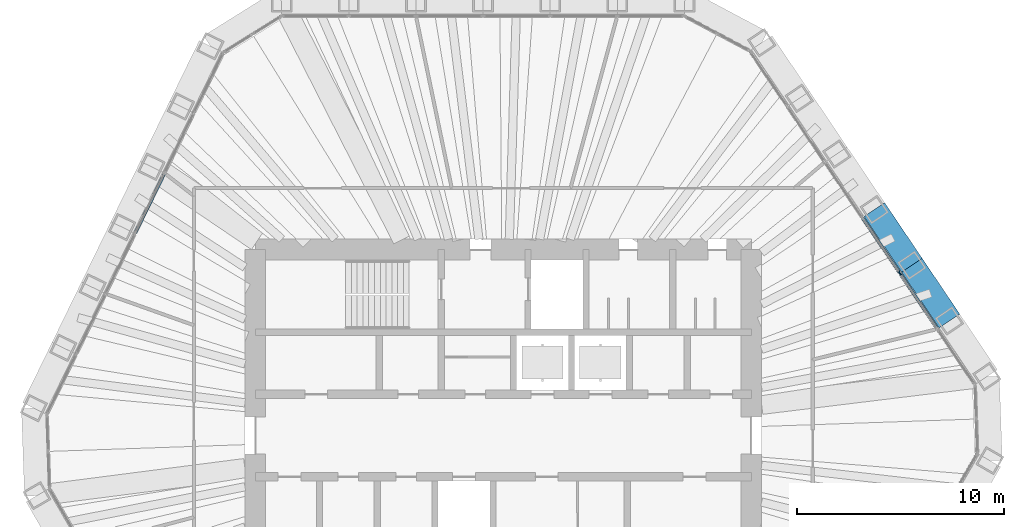
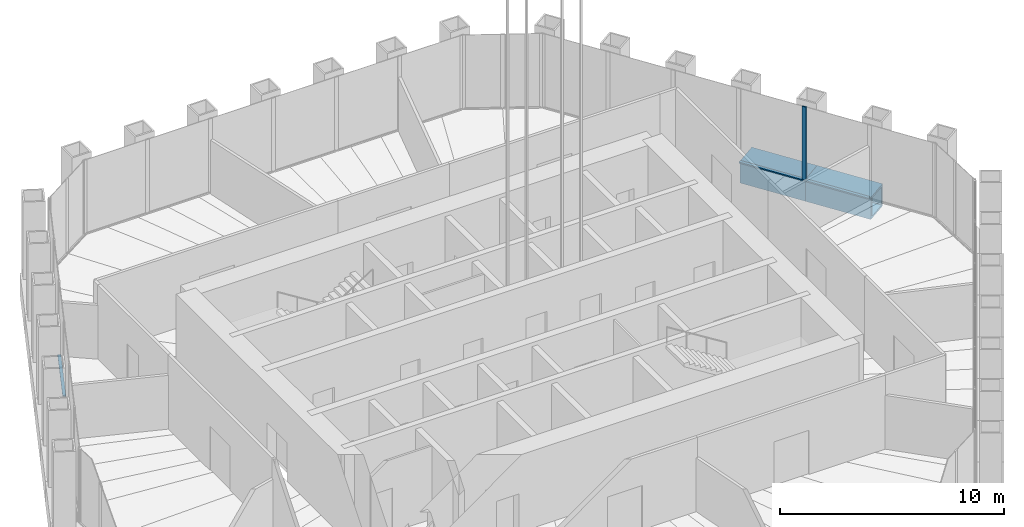
# One storey, part 6 of 19: 6 members, 2 elements without a shape of their own.
"""IFC4 building model written with IfcOpenShell, lengths in metres."""

from ifc_helpers import new_model, si_unit, direction, frame, origin, origin_2d, place, context, subcontext, project, spatial, rectangle, hollow_rectangle, extrude, material, material_profile, profile_set, type_object, element, aggregate, save


model = new_model("IFC4")

# Units and contexts
model_context = context("Model", 3, precision=1e-05, world=origin(), true_north=direction((0.0, 1.0)))
body_context = subcontext(model_context, "Body", "Model", "MODEL_VIEW")
ifc_project = project(units=[si_unit("LENGTHUNIT", "METRE"), si_unit("AREAUNIT", "SQUARE_METRE"), si_unit("VOLUMEUNIT", "CUBIC_METRE"), si_unit("PLANEANGLEUNIT", "RADIAN"), si_unit("MASSUNIT", "GRAM", prefix="KILO")], contexts=[model_context])

# Site, building, storey
site_placement = place(None, origin())
site = spatial("IfcSite", under=ifc_project, at=site_placement, CompositionType="ELEMENT")
building_placement = place(site_placement, origin())
building = spatial("IfcBuilding", under=site, at=building_placement, Name="Qingtian Harvest Tower", CompositionType="ELEMENT")
storey_placement = place(building_placement, frame((0.0, 0.0, 262.0)))
storey = spatial("IfcBuildingStorey", under=building, at=storey_placement, Name="L57", CompositionType="ELEMENT", Elevation=262.0)

# Members
ifc_material_1 = material(Name="Steel SM570MC", Category="steel")
ifc_material_profile_1 = material_profile(ifc_material_1, hollow_rectangle(XDim=1.199951171875, YDim=1.199951171875, WallThickness=0.10009765625, at=origin_2d()), Name="BOX1200x1200x100")
ifc_profile_set_1 = profile_set([ifc_material_profile_1], Name="Steel SM570MC")
member_type_1 = type_object("IfcMemberType", Name="Belt truss chord BC3 BOX1200x1200x100", PredefinedType="CHORD", material=ifc_profile_set_1)
for number, where, z_axis, x_axis, name in (
    (1, (17.956787109375, 10.93212890625, -0.60009765625), (0.55915007887, -0.829066456504, 0.0), (0.829066456504, 0.55915007887, 0.0), "Belt chord BC3 NE3"),
    (2, (19.77294921875, 8.2392578125, -0.60009765625), (0.5592365864, -0.829008106372, 0.0), (0.829008106372, 0.5592365864, 0.0), "Belt chord BC3 NE4"),
):
    element("IfcMember", number, at=place(storey_placement, frame(where, z_axis=z_axis, x_axis=x_axis)), inside=storey, type_object=member_type_1, Name=name, PredefinedType="CHORD", context=body_context, shape_type="SweptSolid", body=[
        extrude(hollow_rectangle(XDim=1.199951171875, YDim=1.199951171875, WallThickness=0.10009765625, at=origin_2d()), origin(), (0.0, 0.0, 1.0), 3.248046875),
    ])

# Curtain wall, members
ifc_material_2 = material(Name="Bronze-anodised aluminium curtain wall", Category="aluminium")
curtain_wall_type = type_object("IfcCurtainWallType", Name="Curtain wall CW3 sky lobby", PredefinedType="USERDEFINED", material=ifc_material_2)
curtain_wall_1_placement = place(storey_placement, origin())
curtain_wall_1 = element("IfcCurtainWall", 3, at=curtain_wall_1_placement, inside=storey, type_object=curtain_wall_type, Name="Curtain wall CW3 L57 NE0-5", ObjectType="RECESSED CURTAIN WALL", PredefinedType="USERDEFINED")
ifc_material_3 = material(Name="Bronze-anodised aluminium mullion", Category="aluminium")
ifc_material_profile_2 = material_profile(ifc_material_3, rectangle(XDim=0.06494140625, YDim=0.199951171875, at=origin_2d()), Name="AL 65x200")
ifc_profile_set_2 = profile_set([ifc_material_profile_2], Name="Bronze-anodised aluminium mullion")
member_type_2 = type_object("IfcMemberType", Name="Mullion CWM 65x200", PredefinedType="MULLION", material=ifc_profile_set_2)
member_1_placement = place(storey_placement, frame((19.192626953125, 7.847900390625, 0.0), z_axis=(0.0, 0.0, 1.0), x_axis=(0.829037572555, 0.559192903471, 0.0)))
member_1 = element("IfcMember", 4, at=member_1_placement, type_object=member_type_2, Name="CW3 mullion 5", PredefinedType="MULLION", context=body_context, shape_type="SweptSolid", body=[
    extrude(rectangle(XDim=0.06494140625, YDim=0.199951171875, at=origin_2d()), origin(), (0.0, 0.0, 1.0), 4.030029296875),
])
ifc_material_4 = material(Name="Bronze-anodised aluminium transom", Category="aluminium")
ifc_material_profile_3 = material_profile(ifc_material_4, rectangle(XDim=0.14990234375, YDim=0.06494140625, at=origin_2d()), Name="AL 65x150")
ifc_profile_set_3 = profile_set([ifc_material_profile_3], Name="Bronze-anodised aluminium transom")
member_type_3 = type_object("IfcMemberType", Name="Transom CWT 65x150", PredefinedType="USERDEFINED", material=ifc_profile_set_3)
member_2_placement = place(storey_placement, frame((17.39453125, 10.513671875, 0.032470703125), z_axis=(0.55920542009, -0.829029129852, 0.0), x_axis=(0.829029129852, 0.55920542009, 0.0)))
member_2 = element("IfcMember", 5, at=member_2_placement, type_object=member_type_3, Name="CW3 transom 4.1", ObjectType="TRANSOM", PredefinedType="USERDEFINED", context=body_context, shape_type="SweptSolid", body=[
    extrude(rectangle(XDim=0.14990234375, YDim=0.06494140625, at=origin_2d()), origin(), (0.0, 0.0, 1.0), 3.18310546875),
])
member_3_placement = place(storey_placement, frame((19.2109375, 7.821044921875, 0.032470703125), z_axis=(0.559152702955, -0.829064686727, 0.0), x_axis=(0.829064686727, 0.559152702955, 0.0)))
member_3 = element("IfcMember", 6, at=member_3_placement, type_object=member_type_3, Name="CW3 transom 5.1", ObjectType="TRANSOM", PredefinedType="USERDEFINED", context=body_context, shape_type="SweptSolid", body=[
    extrude(rectangle(XDim=0.14990234375, YDim=0.06494140625, at=origin_2d()), origin(), (0.0, 0.0, 1.0), 3.18310546875),
])
aggregate(curtain_wall_1, [member_1, member_2, member_3])

# Curtain wall, member
curtain_wall_2_placement = place(storey_placement, origin())
curtain_wall_2 = element("IfcCurtainWall", 7, at=curtain_wall_2_placement, inside=storey, type_object=curtain_wall_type, Name="Curtain wall CW3 L57 NW0-5", ObjectType="RECESSED CURTAIN WALL", PredefinedType="USERDEFINED")
member_4_placement = place(storey_placement, frame((-17.802490234375, 9.807373046875, 0.032470703125), z_axis=(0.438355626738, 0.898801615768, 0.0), x_axis=(-0.898801615768, 0.438355626738, 0.0)))
member_4 = element("IfcMember", 8, at=member_4_placement, type_object=member_type_3, Name="CW3 transom 4.1", ObjectType="TRANSOM", PredefinedType="USERDEFINED", context=body_context, shape_type="SweptSolid", body=[
    extrude(rectangle(XDim=0.14990234375, YDim=0.06494140625, at=origin_2d()), origin(), (0.0, 0.0, 1.0), 3.182861328125),
])
aggregate(curtain_wall_2, [member_4])

save(model, "model.ifc")
